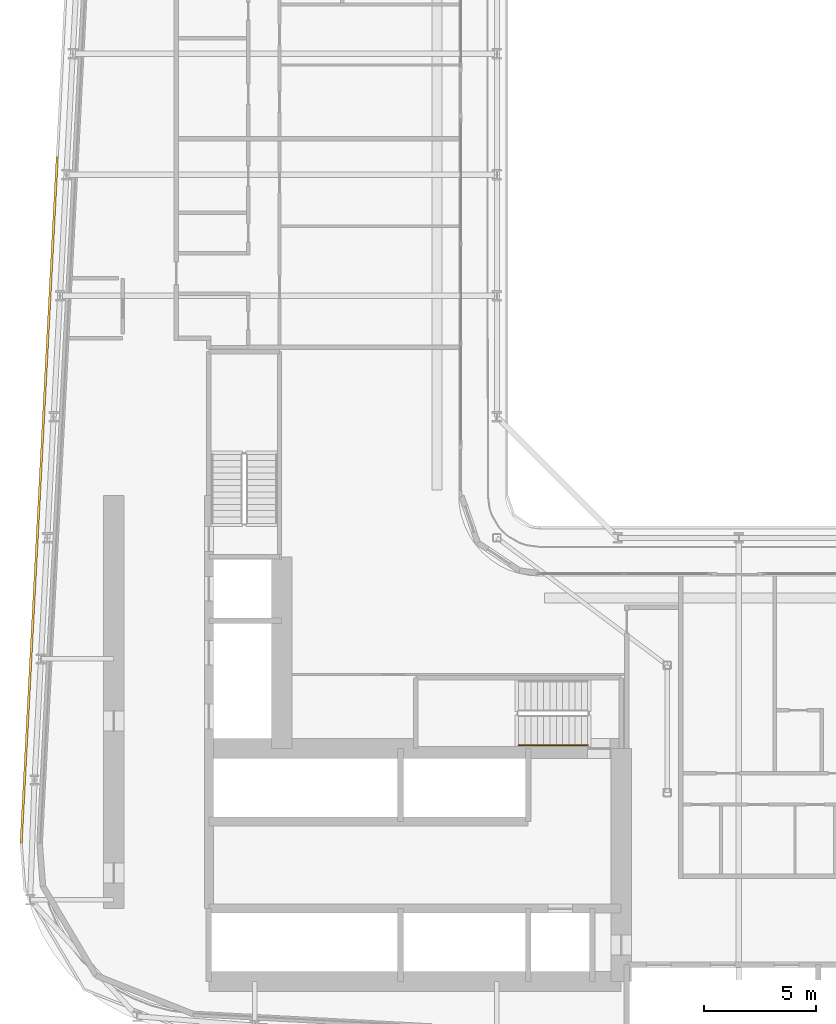
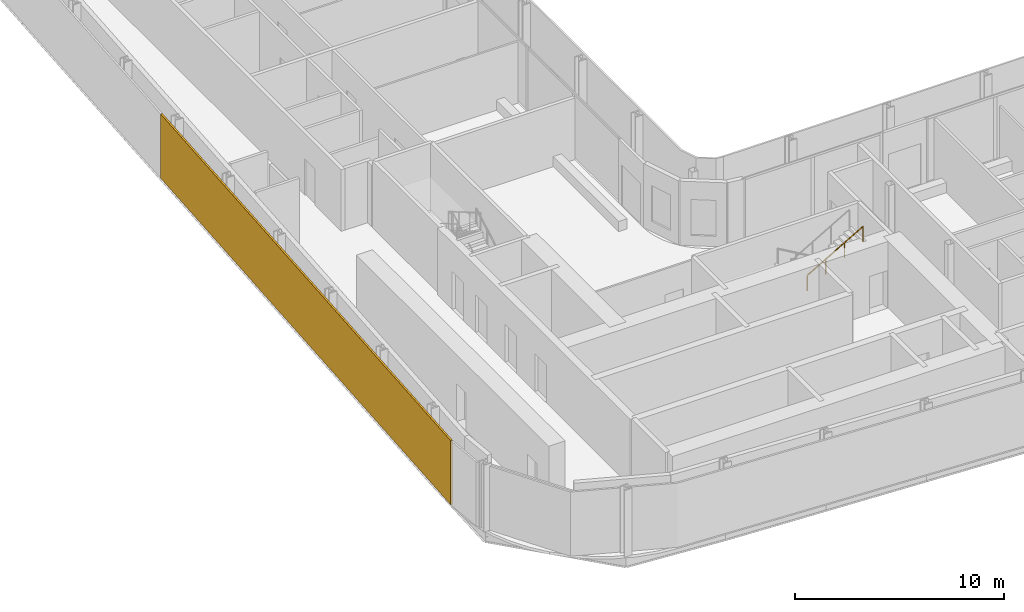
# One storey, part 19 of 25: 1 railing, 1 shading device.
"""IFC4 building model written with IfcOpenShell, lengths in metres."""

import ifcopenshell
import ifcopenshell.guid

model = None  # the IFC model being written
_history = None  # IfcOwnerHistory: only IFC2X3 demands one
_inside = {}  # id of a spatial element -> (the spatial element, [elements in it])
_under = {}  # id of a project, library or spatial element -> (it, [spatial elements below it])
_declared = {}  # id of a project -> (the project, [libraries it declares])
_typed = {}  # id of a type object -> (the type object, [elements of that type])
_made_of = {}  # id of a material, layer set ... -> (it, [elements and type objects made of it])


def new_model(schema):
    """Start an empty IFC model of exactly this schema.

    Asked for "IFC4X3", IfcOpenShell would pick the latest addendum, in which some entities
    have other attributes; the version numbers below select the first issue.
    IFC2X3 requires an IfcOwnerHistory on every rooted entity: one is made here for all.
    """
    global model, _history
    if schema == "IFC4X3":
        model = ifcopenshell.file(schema_version=(4, 3, 0, 0))
    else:
        model = ifcopenshell.file(schema=schema)
    _inside.clear()
    _under.clear()
    _declared.clear()
    _typed.clear()
    _made_of.clear()
    _history = None
    if model.schema == "IFC2X3":
        org = make("IfcOrganization", Name="unknown")
        user = make(
            "IfcPersonAndOrganization",
            ThePerson=make("IfcPerson", FamilyName="unknown"),
            TheOrganization=org,
        )
        app = make(
            "IfcApplication",
            ApplicationDeveloper=org,
            Version="unknown",
            ApplicationFullName="unknown",
            ApplicationIdentifier="unknown",
        )
        _history = make(
            "IfcOwnerHistory",
            OwningUser=user,
            OwningApplication=app,
            ChangeAction="ADDED",
            CreationDate=0,
        )
    return model


def make(cls, **values):
    """One entity of the class cls with the attributes given. An attribute that is None is left unset."""
    return model.create_entity(
        cls, **{name: value for name, value in values.items() if value is not None}
    )


def rooted(cls, **values):
    """An entity with a GlobalId (a new one), such as an element, a storey or a relation."""
    return make(cls, GlobalId=ifcopenshell.guid.new(), OwnerHistory=_history, **values)


def si_unit(unit_type, name, prefix=None):
    """IfcSIUnit, for example si_unit("LENGTHUNIT", "METRE", prefix="MILLI")."""
    return make("IfcSIUnit", UnitType=unit_type, Prefix=prefix, Name=name)


def assignment(units):
    """IfcUnitAssignment: the units of a project."""
    return None if units is None else make("IfcUnitAssignment", Units=units)


def point(xyz):
    """IfcCartesianPoint."""
    return None if xyz is None else make("IfcCartesianPoint", Coordinates=xyz)


def direction(xyz):
    """IfcDirection."""
    return None if xyz is None else make("IfcDirection", DirectionRatios=xyz)


def frame(location, z_axis=None, x_axis=None):
    """IfcAxis2Placement3D, a coordinate frame: its origin and axes. An axis left out is left unset."""
    return make(
        "IfcAxis2Placement3D",
        Location=point(location),
        Axis=direction(z_axis),
        RefDirection=direction(x_axis),
    )


def frame_2d(location, x_axis=None):
    """IfcAxis2Placement2D, a coordinate frame in the plane: its origin and x axis."""
    return make(
        "IfcAxis2Placement2D", Location=point(location), RefDirection=direction(x_axis)
    )


def origin():
    """The frame at (0, 0, 0) with its axes left unset."""
    return frame((0.0, 0.0, 0.0))


def origin_2d():
    """The frame at (0, 0) in the plane with its x axis left unset."""
    return frame_2d((0.0, 0.0))


def place(relative_to, where):
    """IfcLocalPlacement: puts the frame where relative to a parent placement (None: the world)."""
    return make(
        "IfcLocalPlacement", PlacementRelTo=relative_to, RelativePlacement=where
    )


def context(
    kind, dimensions, precision=None, world=None, true_north=None, identifier=None
):
    """IfcGeometricRepresentationContext, for example the 3D "Model" context."""
    return make(
        "IfcGeometricRepresentationContext",
        ContextIdentifier=identifier,
        ContextType=kind,
        CoordinateSpaceDimension=dimensions,
        Precision=precision,
        WorldCoordinateSystem=world,
        TrueNorth=true_north,
    )


def subcontext(parent, identifier, kind, view, scale=None):
    """IfcGeometricRepresentationSubContext, for example "Body" below "Model"."""
    return make(
        "IfcGeometricRepresentationSubContext",
        ContextIdentifier=identifier,
        ContextType=kind,
        ParentContext=parent,
        TargetScale=scale,
        TargetView=view,
    )


def project(units=None, contexts=None):
    """IfcProject with its units and contexts."""
    return rooted(
        "IfcProject",
        Name="project",
        RepresentationContexts=contexts,
        UnitsInContext=assignment(units),
    )


def spatial(cls, under=None, at=None, **own):
    """A site, building, storey or space (cls), placed at a placement, below another one or the project."""
    s = rooted(cls, ObjectPlacement=at, **own)
    if under is not None:
        _under.setdefault(under.id(), (under, []))[1].append(s)
    return s


def profile(cls, at=None, kind="AREA", **sizes):
    """A parametric profile (cls). Its sizes go by their IFC names, for example OverallWidth=200.0."""
    return make(cls, ProfileType=kind, Position=at, **sizes)


def rectangle(**sizes):
    """IfcRectangleProfileDef."""
    return profile("IfcRectangleProfileDef", **sizes)


def circle(**sizes):
    """IfcCircleProfileDef."""
    return profile("IfcCircleProfileDef", **sizes)


def extrude(swept, where, along, depth):
    """IfcExtrudedAreaSolid: the profile swept, set in the frame where, extruded along a direction by depth."""
    return make(
        "IfcExtrudedAreaSolid",
        SweptArea=swept,
        Position=where,
        ExtrudedDirection=direction(along),
        Depth=depth,
    )


def shape(context_of_items, identifier, shape_type, items):
    """IfcShapeRepresentation: the items that make up one representation, for example the "Body"."""
    return make(
        "IfcShapeRepresentation",
        ContextOfItems=context_of_items,
        RepresentationIdentifier=identifier,
        RepresentationType=shape_type,
        Items=items,
    )


def material(Name=None, Category=None):
    """IfcMaterial."""
    return make("IfcMaterial", Name=Name, Category=Category)


def layer(
    of_material, thickness, ventilated=None, Name=None, Category=None, Priority=None
):
    """IfcMaterialLayer: one layer of a wall or slab, of a material (None: an air gap)."""
    return make(
        "IfcMaterialLayer",
        Material=of_material,
        LayerThickness=thickness,
        IsVentilated=ventilated,
        Name=Name,
        Category=Category,
        Priority=Priority,
    )


def layer_set(layers, Name=None):
    """IfcMaterialLayerSet."""
    return make("IfcMaterialLayerSet", MaterialLayers=layers, LayerSetName=Name)


def made_of(thing, what):
    """Note that an element or type object is made of a material, layer set ...; save() writes the relation."""
    if what is not None:
        _made_of.setdefault(what.id(), (what, []))[1].append(thing)
    return thing


def type_object(cls, material=None, **own):
    """A type object (cls), such as IfcWallType, which elements share."""
    return made_of(rooted(cls, **own), material)


def element(
    cls,
    number,
    at=None,
    inside=None,
    cuts=None,
    type_object=None,
    material=None,
    context=None,
    identifier="Body",
    shape_type=None,
    held_by="IfcProductDefinitionShape",
    body=None,
    shapes=None,
    **own,
):
    """One element of the class cls, such as IfcWall. Its Tag is "e" and its number.

    at: its placement. inside: the storey or other place that contains it. cuts: it is an
    opening in that element (IfcRelVoidsElement). A single representation is given by context,
    identifier, shape_type and body (its items); several are given by shapes. held_by: the class
    of the entity that holds the representations. save() writes the other relations.
    """
    e = rooted(cls, Tag="e%d" % number, ObjectPlacement=at, **own)
    if body is not None:
        shapes = [shape(context, identifier, shape_type, body)]
    if shapes is not None:
        e.Representation = make(held_by, Representations=shapes)
    if inside is not None:
        _inside.setdefault(inside.id(), (inside, []))[1].append(e)
    if cuts is not None:
        rooted(
            "IfcRelVoidsElement", RelatingBuildingElement=cuts, RelatedOpeningElement=e
        )
    if type_object is not None:
        _typed.setdefault(type_object.id(), (type_object, []))[1].append(e)
    return made_of(e, material)


def aggregate(whole, parts):
    """IfcRelAggregates: a whole, such as a stair, and the parts it consists of."""
    return rooted("IfcRelAggregates", RelatingObject=whole, RelatedObjects=parts)


def save(model, path):
    """Write the relations noted so far, then the file.

    IfcRelAggregates (storeys below a building ...), IfcRelContainedInSpatialStructure (elements
    in a storey), IfcRelDefinesByType, IfcRelAssociatesMaterial and IfcRelDeclares: one each for
    every whole, place, type object, material and project.
    """
    for whole, parts in _under.values():
        aggregate(whole, parts)
    for where, things in _inside.values():
        rooted(
            "IfcRelContainedInSpatialStructure",
            RelatedElements=things,
            RelatingStructure=where,
        )
    for kind, things in _typed.values():
        rooted("IfcRelDefinesByType", RelatedObjects=things, RelatingType=kind)
    for what, things in _made_of.values():
        rooted("IfcRelAssociatesMaterial", RelatedObjects=things, RelatingMaterial=what)
    for by, libraries in _declared.values():
        rooted("IfcRelDeclares", RelatingContext=by, RelatedDefinitions=libraries)
    model.write(path)


model = new_model("IFC4")

# Units and contexts
model_context = context("Model", 3, precision=1e-05, world=origin(), true_north=direction((0.0, 1.0)))
body_context = subcontext(model_context, "Body", "Model", "MODEL_VIEW")
ifc_project = project(units=[si_unit("LENGTHUNIT", "METRE"), si_unit("AREAUNIT", "SQUARE_METRE"), si_unit("VOLUMEUNIT", "CUBIC_METRE"), si_unit("PLANEANGLEUNIT", "RADIAN"), si_unit("MASSUNIT", "GRAM", prefix="KILO")], contexts=[model_context])

# Site, building, storey
site_placement = place(None, origin())
site = spatial("IfcSite", under=ifc_project, at=site_placement, CompositionType="ELEMENT")
building_placement = place(site_placement, origin())
building = spatial("IfcBuilding", under=site, at=building_placement, Name="Kheshtan School and Residences Tower", CompositionType="ELEMENT")
storey_placement = place(building_placement, frame((0.0, 0.0, 113.60009765625)))
storey = spatial("IfcBuildingStorey", under=building, at=storey_placement, Name="L26", CompositionType="ELEMENT", Elevation=113.60009765625)

# Shading device
ifc_material_1 = material(Name="Terracotta baguette, extruded ceramic", Category="masonry")
ifc_layer = layer(ifc_material_1, 0.10009765625)
ifc_layer_set = layer_set([ifc_layer], Name="Ledge screen, terracotta baguettes")
shading_device_type = type_object("IfcShadingDeviceType", Name="Ledge screen, terracotta baguettes", PredefinedType="USERDEFINED", material=ifc_layer_set)
shading_device_placement = place(storey_placement, frame((27.175048828125, 47.2890625, 0.0), z_axis=(0.0, 0.0, 1.0), x_axis=(0.052562536748, 0.998617634398, 0.0)))
element("IfcShadingDevice", 1, at=shading_device_placement, inside=storey, type_object=shading_device_type, Name="Screen L26 4", ObjectType="BAGUETTE", PredefinedType="USERDEFINED", context=body_context, shape_type="SweptSolid", body=[
    extrude(rectangle(XDim=30.636962890625, YDim=0.10009765625, at=origin_2d()), origin(), (0.0, 0.0, 1.0), 3.75),
])

# Railing
ifc_material_2 = material(Name="Stainless steel handrail", Category="steel")
railing_type = type_object("IfcRailingType", Name="Stair handrail 900", PredefinedType="HANDRAIL", material=ifc_material_2)
railing_placement = place(storey_placement, frame((48.570068359375, 36.35009765625, 2.1123046875)))
element("IfcRailing", 2, at=railing_placement, inside=storey, type_object=railing_type, Name="L26 ST1 stair handrail 2", PredefinedType="HANDRAIL", context=body_context, shape_type="SweptSolid", body=[
    extrude(circle(Radius=0.02392578125, at=origin_2d()), frame((0.0, 0.0, 0.8759765625), z_axis=(0.864873446163, 0.0, 0.501989962173), x_axis=(0.0, 1.0, 0.0)), (0.0, 0.0, 1.0), 3.56103515625),
    extrude(circle(Radius=0.02099609375, at=origin_2d()), origin(), (0.0, 0.0, 1.0), 0.851806640625),
    extrude(circle(Radius=0.02099609375, at=origin_2d()), frame((1.026611328125, 0.0, 0.595947265625)), (0.0, 0.0, 1.0), 0.851806640625),
    extrude(circle(Radius=0.02099609375, at=origin_2d()), frame((2.05322265625, 0.0, 1.191650390625)), (0.0, 0.0, 1.0), 0.851806640625),
    extrude(circle(Radius=0.02099609375, at=origin_2d()), frame((3.079833984375, 0.0, 1.78759765625)), (0.0, 0.0, 1.0), 0.851806640625),
])

save(model, "model.ifc")
